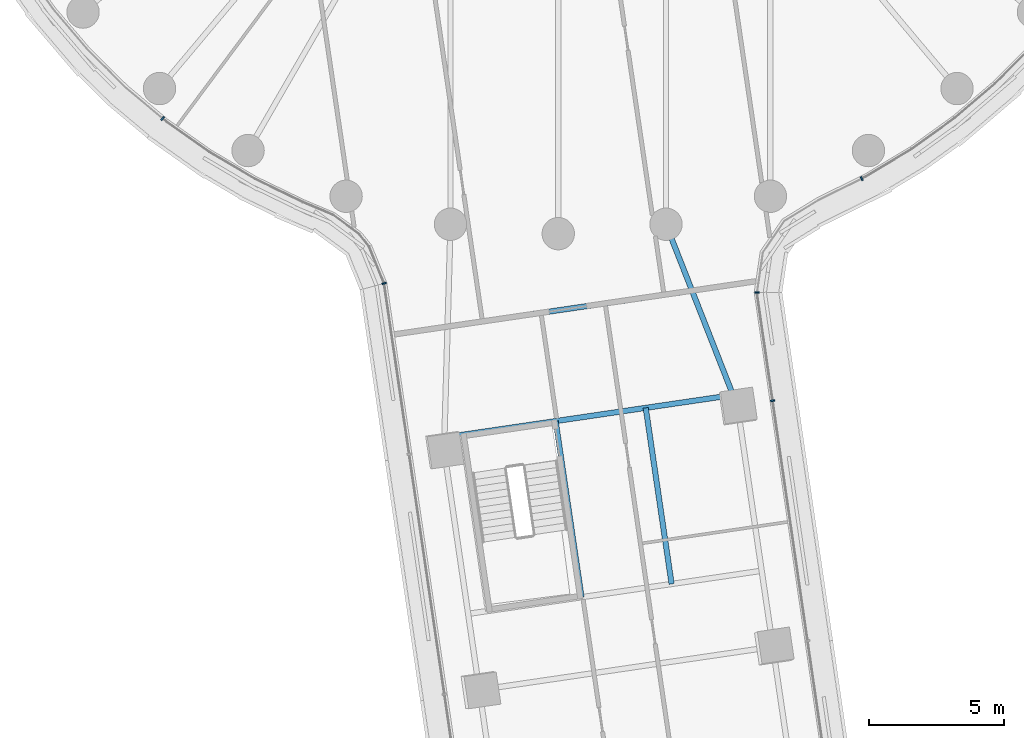
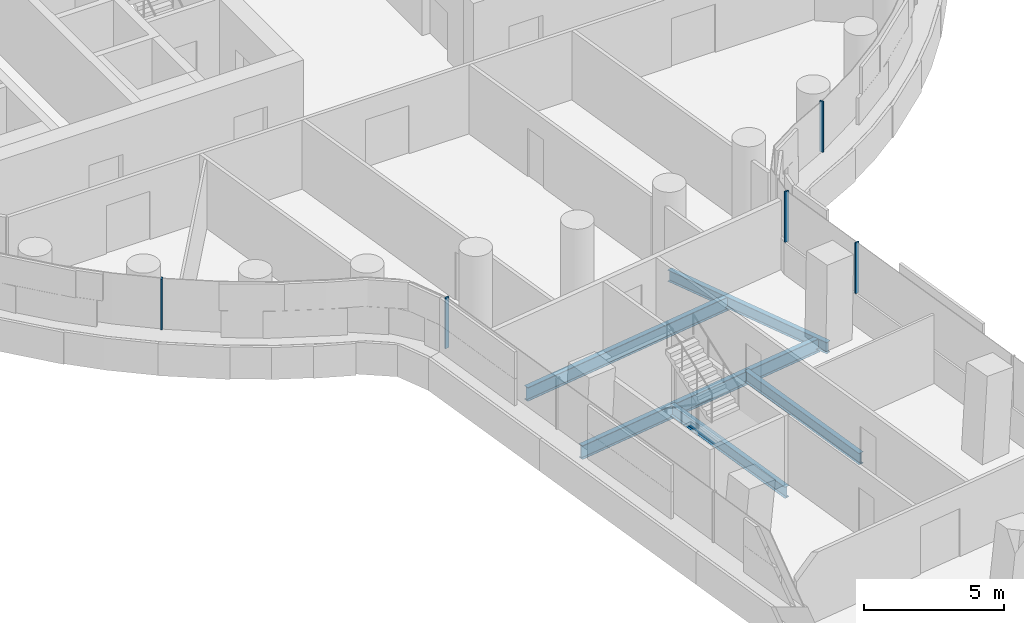
# One storey, part 3 of 31: 5 beams, 5 members, 4 elements without a shape of their own.
"""IFC4 building model written with IfcOpenShell, lengths in metres."""

from ifc_helpers import new_model, si_unit, direction, frame, origin, origin_2d, place, context, subcontext, project, spatial, rectangle, i_section, extrude, material, layer, layer_set, material_profile, profile_set, type_object, element, aggregate, save


model = new_model("IFC4")

# Units and contexts
model_context = context("Model", 3, precision=1e-05, world=origin(), true_north=direction((0.0, 1.0)))
body_context = subcontext(model_context, "Body", "Model", "MODEL_VIEW")
ifc_project = project(units=[si_unit("LENGTHUNIT", "METRE"), si_unit("AREAUNIT", "SQUARE_METRE"), si_unit("VOLUMEUNIT", "CUBIC_METRE"), si_unit("PLANEANGLEUNIT", "RADIAN"), si_unit("MASSUNIT", "GRAM", prefix="KILO")], contexts=[model_context])

# Site, building, storey
site_placement = place(None, origin())
site = spatial("IfcSite", under=ifc_project, at=site_placement, CompositionType="ELEMENT")
building_placement = place(site_placement, origin())
building = spatial("IfcBuilding", under=site, at=building_placement, Name="Tamarind Cross Interchange Tower", CompositionType="ELEMENT")
storey_placement = place(building_placement, frame((0.0, 0.0, 64.0)))
storey = spatial("IfcBuildingStorey", under=building, at=storey_placement, Name="L14", CompositionType="ELEMENT", Elevation=64.0)

# Beams
ifc_material_1 = material(Name="Steel Q355B", Category="steel")
ifc_material_profile_1 = material_profile(ifc_material_1, i_section(OverallWidth=0.198974609375, OverallDepth=0.49609375, WebThickness=0.009033203125, FlangeThickness=0.013916015625, FilletRadius=0.012939453125, at=origin_2d()), Name="HN 496x199x9x14")
ifc_profile_set_1 = profile_set([ifc_material_profile_1], Name="Steel Q355B")
beam_type_1 = type_object("IfcBeamType", Name="Composite beam HN 496x199x9x14 Q355B", PredefinedType="BEAM", material=ifc_profile_set_1)
beam_1_placement = place(storey_placement, frame((6.648193359375, -29.412353515625, -0.387939453125), z_axis=(-0.365402794602, 0.930849503248, 0.0), x_axis=(-0.930849503248, -0.365402794602, 0.0)))
element("IfcBeam", 1, at=beam_1_placement, inside=storey, type_object=beam_type_1, Name="Beam S-linkep", PredefinedType="BEAM", context=body_context, shape_type="SweptSolid", body=[
    extrude(i_section(OverallWidth=0.198974609375, OverallDepth=0.49609375, WebThickness=0.009033203125, FlangeThickness=0.013916015625, FilletRadius=0.012939453125, at=origin_2d()), origin(), (0.0, 0.0, 1.0), 7.263916015625),
])
beam_2_placement = place(storey_placement, frame((-0.095703125, -29.9482421875, -0.387939453125), z_axis=(0.14537152391, -0.989377137413, 0.0), x_axis=(0.989377137413, 0.14537152391, 0.0)))
element("IfcBeam", 2, at=beam_2_placement, inside=storey, type_object=beam_type_1, Name="Beam S-tr1", PredefinedType="BEAM", context=body_context, shape_type="SweptSolid", body=[
    extrude(i_section(OverallWidth=0.198974609375, OverallDepth=0.49609375, WebThickness=0.009033203125, FlangeThickness=0.013916015625, FilletRadius=0.012939453125, at=origin_2d()), origin(), (0.0, 0.0, 1.0), 6.60009765625),
])
beam_3_placement = place(storey_placement, frame((3.24365234375, -29.457763671875, -0.387939453125), z_axis=(0.145340634244, -0.989381675612, 0.0), x_axis=(0.989381675612, 0.145340634244, 0.0)))
element("IfcBeam", 3, at=beam_3_placement, inside=storey, type_object=beam_type_1, Name="Beam S-stripp", PredefinedType="BEAM", context=body_context, shape_type="SweptSolid", body=[
    extrude(i_section(OverallWidth=0.198974609375, OverallDepth=0.49609375, WebThickness=0.009033203125, FlangeThickness=0.013916015625, FilletRadius=0.012939453125, at=origin_2d()), origin(), (0.0, 0.0, 1.0), 6.599853515625),
])
ifc_material_profile_2 = material_profile(ifc_material_1, i_section(OverallWidth=0.199951171875, OverallDepth=0.60009765625, WebThickness=0.010986328125, FlangeThickness=0.01708984375, FilletRadius=0.012939453125, at=origin_2d()), Name="HN 600x200x11x17")
ifc_profile_set_2 = profile_set([ifc_material_profile_2], Name="Steel Q355B")
beam_type_2 = type_object("IfcBeamType", Name="Composite beam HN 600x200x11x17 Q355B", PredefinedType="BEAM", material=ifc_profile_set_2)
beam_4_placement = place(storey_placement, frame((-4.221923828125, -30.5546875, -0.43994140625), z_axis=(0.98937823949, 0.145364023141, 0.0), x_axis=(-0.145364023141, 0.98937823949, 0.0)))
element("IfcBeam", 4, at=beam_4_placement, inside=storey, type_object=beam_type_2, Name="Beam S-x298", PredefinedType="BEAM", context=body_context, shape_type="SweptSolid", body=[
    extrude(i_section(OverallWidth=0.199951171875, OverallDepth=0.60009765625, WebThickness=0.010986328125, FlangeThickness=0.01708984375, FilletRadius=0.012939453125, at=origin_2d()), origin(), (0.0, 0.0, 1.0), 10.816162109375),
])
beam_5_placement = place(storey_placement, frame((-4.103271484375, -26.443603515625, -0.43994140625), z_axis=(0.989379886196, 0.145352814872, 0.0), x_axis=(-0.145352814872, 0.989379886196, 0.0)))
element("IfcBeam", 5, at=beam_5_placement, inside=storey, type_object=beam_type_2, Name="Beam S-x258", PredefinedType="BEAM", context=body_context, shape_type="SweptSolid", body=[
    extrude(i_section(OverallWidth=0.199951171875, OverallDepth=0.60009765625, WebThickness=0.010986328125, FlangeThickness=0.01708984375, FilletRadius=0.012939453125, at=origin_2d()), origin(), (0.0, 0.0, 1.0), 9.16064453125),
])

# Curtain wall, member
ifc_material_2 = material(Name="Aluminium 6063-T6", Category="aluminium")
ifc_layer = layer(ifc_material_2, 0.159912109375)
ifc_layer_set = layer_set([ifc_layer], Name="Aluminium 6063-T6")
curtain_wall_type = type_object("IfcCurtainWallType", Name="Office curtain wall, 9.0 m bays", PredefinedType="NOTDEFINED", material=ifc_layer_set)
curtain_wall_1_placement = place(storey_placement, origin())
curtain_wall_1 = element("IfcCurtainWall", 6, at=curtain_wall_1_placement, inside=storey, type_object=curtain_wall_type, Name="CWS-L14-02", PredefinedType="NOTDEFINED")
ifc_material_profile_3 = material_profile(ifc_material_2, rectangle(XDim=0.06005859375, YDim=0.159912109375, at=origin_2d()), Name="Mullion CW1")
ifc_profile_set_3 = profile_set([ifc_material_profile_3], Name="Aluminium 6063-T6")
member_type = type_object("IfcMemberType", Name="Mullion CW1", PredefinedType="MULLION", material=ifc_profile_set_3)
member_1_placement = place(storey_placement, frame((-14.670166015625, -18.727294921875, 1.39990234375), z_axis=(0.0, 0.0, 1.0), x_axis=(0.765858396687, -0.643009266048, 0.0)))
member_1 = element("IfcMember", 7, at=member_1_placement, type_object=member_type, Name="CWM-L14-02-02", PredefinedType="MULLION", context=body_context, shape_type="SweptSolid", body=[
    extrude(rectangle(XDim=0.06005859375, YDim=0.159912109375, at=origin_2d()), origin(), (0.0, 0.0, 1.0), 2.210205078125),
])
aggregate(curtain_wall_1, [member_1])

curtain_wall_2_placement = place(storey_placement, origin())
curtain_wall_2 = element("IfcCurtainWall", 8, at=curtain_wall_2_placement, inside=storey, type_object=curtain_wall_type, Name="CWS-L14-03", PredefinedType="NOTDEFINED")
member_2_placement = place(storey_placement, frame((-6.45556640625, -24.841796875, 1.39990234375), z_axis=(0.0, 0.0, 1.0), x_axis=(0.262343830575, -0.964974463164, 0.0)))
member_2 = element("IfcMember", 9, at=member_2_placement, type_object=member_type, Name="CWM-L14-03-00", PredefinedType="MULLION", context=body_context, shape_type="SweptSolid", body=[
    extrude(rectangle(XDim=0.06005859375, YDim=0.159912109375, at=origin_2d()), origin(), (0.0, 0.0, 1.0), 2.210205078125),
])
aggregate(curtain_wall_2, [member_2])

curtain_wall_3_placement = place(storey_placement, origin())
curtain_wall_3 = element("IfcCurtainWall", 10, at=curtain_wall_3_placement, inside=storey, type_object=curtain_wall_type, Name="CWS-L14-05", PredefinedType="NOTDEFINED")
member_3_placement = place(storey_placement, frame((7.949951171875, -29.19189453125, 1.39990234375), z_axis=(0.0, 0.0, 1.0), x_axis=(-0.144186728298, 0.989550497642, 0.0)))
member_3 = element("IfcMember", 11, at=member_3_placement, type_object=member_type, Name="CWM-L14-05-02", PredefinedType="MULLION", context=body_context, shape_type="SweptSolid", body=[
    extrude(rectangle(XDim=0.06005859375, YDim=0.159912109375, at=origin_2d()), origin(), (0.0, 0.0, 1.0), 2.210205078125),
])
aggregate(curtain_wall_3, [member_3])

# Curtain wall, members
curtain_wall_4_placement = place(storey_placement, origin())
curtain_wall_4 = element("IfcCurtainWall", 12, at=curtain_wall_4_placement, inside=storey, type_object=curtain_wall_type, Name="CWS-L14-06", PredefinedType="NOTDEFINED")
member_4_placement = place(storey_placement, frame((7.364990234375, -25.17724609375, 1.39990234375), z_axis=(0.0, 0.0, 1.0), x_axis=(0.000956772403, 0.999999542293, 0.0)))
member_4 = element("IfcMember", 13, at=member_4_placement, type_object=member_type, Name="CWM-L14-06-00", PredefinedType="MULLION", context=body_context, shape_type="SweptSolid", body=[
    extrude(rectangle(XDim=0.06005859375, YDim=0.159912109375, at=origin_2d()), origin(), (0.0, 0.0, 1.0), 2.210205078125),
])
member_5_placement = place(storey_placement, frame((11.252197265625, -20.95947265625, 1.39990234375), z_axis=(0.0, 0.0, 1.0), x_axis=(0.896492548518, 0.443058811505, 0.0)))
member_5 = element("IfcMember", 14, at=member_5_placement, type_object=member_type, Name="CWM-L14-06-01", PredefinedType="MULLION", context=body_context, shape_type="SweptSolid", body=[
    extrude(rectangle(XDim=0.06005859375, YDim=0.159912109375, at=origin_2d()), origin(), (0.0, 0.0, 1.0), 2.210205078125),
])
aggregate(curtain_wall_4, [member_4, member_5])

save(model, "model.ifc")
